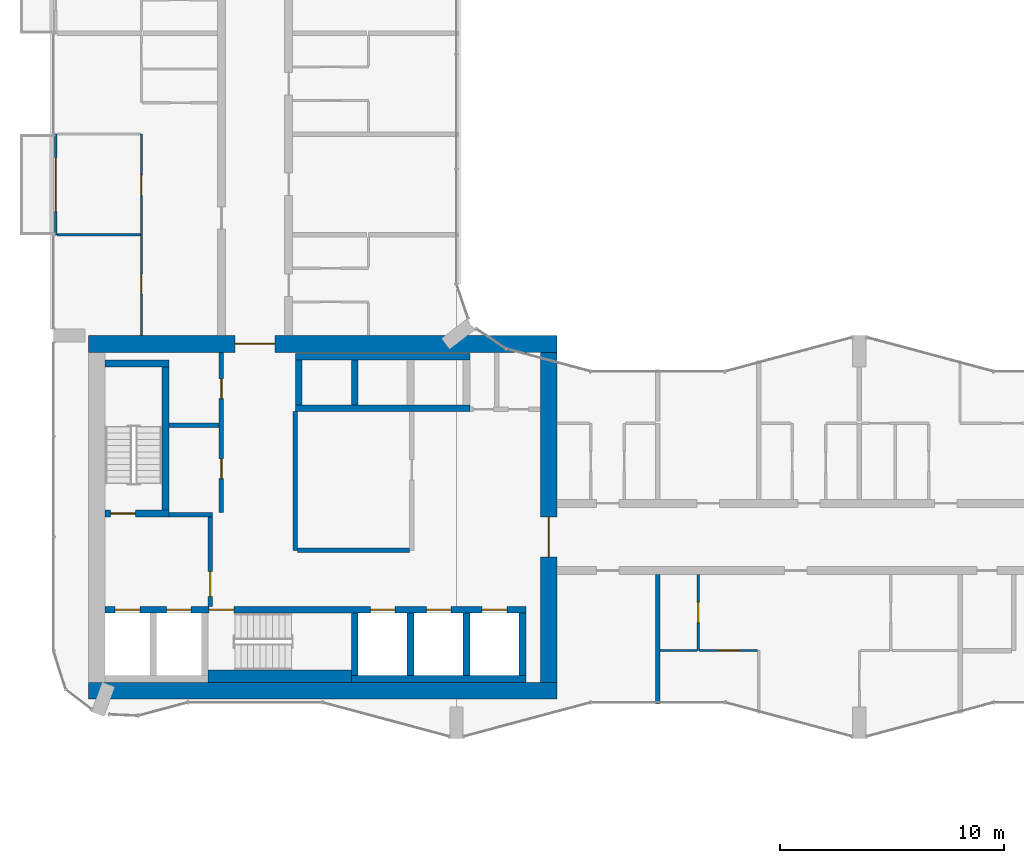
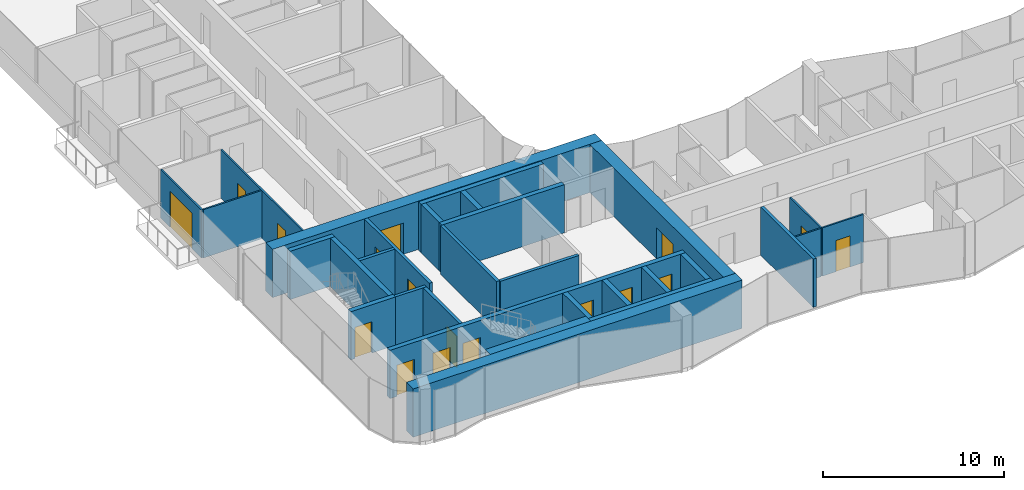
# One storey, part 14 of 24: 30 walls, 17 doors, 17 openings.
"""IFC4 building model written with IfcOpenShell, lengths in metres."""

from ifc_helpers import new_model, si_unit, direction, frame, frame_2d, origin, place, context, subcontext, project, spatial, rectangle, extrude, material, layer, layer_set, type_object, element, fill, save


model = new_model("IFC4")

# Units and contexts
model_context = context("Model", 3, precision=1e-05, world=origin(), true_north=direction((0.0, 1.0)))
body_context = subcontext(model_context, "Body", "Model", "MODEL_VIEW")
ifc_project = project(units=[si_unit("LENGTHUNIT", "METRE"), si_unit("AREAUNIT", "SQUARE_METRE"), si_unit("VOLUMEUNIT", "CUBIC_METRE"), si_unit("PLANEANGLEUNIT", "RADIAN"), si_unit("MASSUNIT", "GRAM", prefix="KILO")], contexts=[model_context])

# Site, building, storey
site_placement = place(None, origin())
site = spatial("IfcSite", under=ifc_project, at=site_placement, CompositionType="ELEMENT")
building_placement = place(site_placement, origin())
building = spatial("IfcBuilding", under=site, at=building_placement, Name="Plateau Cross Towers", CompositionType="ELEMENT")
storey_placement = place(building_placement, frame((0.0, 0.0, 51.300048828125)))
storey = spatial("IfcBuildingStorey", under=building, at=storey_placement, Name="L12", CompositionType="ELEMENT", Elevation=51.300048828125)

# Wall, opening, door
ifc_material_1 = material(Name="Aluminium framed glazing", Category="aluminium")
ifc_layer_1 = layer(ifc_material_1, 0.10009765625)
ifc_layer_set_1 = layer_set([ifc_layer_1], Name="Aluminium framed glazing")
wall_type_1 = type_object("IfcWallType", Name="Balcony screen wall 100", PredefinedType="STANDARD", material=ifc_layer_set_1)
wall_1_placement = place(storey_placement, frame((0.10009765625, 22.5, 0.0), z_axis=(0.0, 0.0, 1.0), x_axis=(0.0, 1.0, 0.0)))
wall_1 = element("IfcWall", 1, at=wall_1_placement, inside=storey, type_object=wall_type_1, Name="Balcony screen wall A-BAL-L12-01", PredefinedType="STANDARD", context=body_context, shape_type="SweptSolid", body=[
    extrude(rectangle(XDim=4.5, YDim=0.10009765625, at=frame_2d((2.25, 0.0))), origin(), (0.0, 0.0, 1.0), 3.25),
])
opening_1_placement = place(wall_1_placement, frame((1.050048828125, 0.0, 0.0)))
opening_1 = element("IfcOpeningElement", 2, at=opening_1_placement, cuts=wall_1, Name="Opening D-B24", PredefinedType="OPENING", context=body_context, shape_type="SweptSolid", body=[
    extrude(rectangle(XDim=2.39990234375, YDim=2.39990234375, at=frame_2d((1.199951171875, 1.199951171875))), frame((0.0, 0.06005859375, 0.0), z_axis=(0.0, -1.0, 0.0), x_axis=(1.0, 0.0, 0.0)), (0.0, 0.0, 1.0), 0.1201171875),
])
ifc_material_2 = material(Name="Aluminium frame, double glazing", Category="aluminium")
door_type_1 = type_object("IfcDoorType", Name="Balcony sliding door 2400", OperationType="NOTDEFINED", PredefinedType="DOOR", material=ifc_material_2)
door_1_placement = place(opening_1_placement, origin())
door_1 = element("IfcDoor", 3, at=door_1_placement, inside=storey, type_object=door_type_1, Name="Balcony door A-BAL-L12-01", OperationType="SINGLE_SWING_LEFT", OverallHeight=2.39990234375, OverallWidth=2.39990234375, PredefinedType="DOOR", context=body_context, shape_type="SweptSolid", body=[
    extrude(rectangle(XDim=2.39990234375, YDim=2.39990234375, at=frame_2d((1.199951171875, 1.199951171875))), frame((0.0, 0.02490234375, 0.0), z_axis=(0.0, -1.0, 0.0), x_axis=(1.0, 0.0, 0.0)), (0.0, 0.0, 1.0), 0.050048828125),
])
fill(opening_1, door_1)

ifc_material_3 = material(Name="Concrete block, plastered both sides", Category="concrete")
ifc_layer_2 = layer(ifc_material_3, 0.199951171875)
ifc_layer_set_2 = layer_set([ifc_layer_2], Name="Concrete block, plastered both sides")
wall_type_2 = type_object("IfcWallType", Name="Core partition 200", PredefinedType="PARTITIONING", material=ifc_layer_set_2)
wall_2_placement = place(storey_placement, frame((7.0, 5.89990234375, 0.0), z_axis=(0.0, 0.0, 1.0), x_axis=(0.0, 1.0, 0.0)))
wall_2 = element("IfcWall", 4, at=wall_2_placement, inside=storey, type_object=wall_type_2, Name="Core partition", PredefinedType="PARTITIONING", context=body_context, shape_type="SweptSolid", body=[
    extrude(rectangle(XDim=4.0, YDim=0.199951171875, at=frame_2d((2.0, 0.0))), origin(), (0.0, 0.0, 1.0), 3.25),
])
opening_2_placement = place(wall_2_placement, frame((0.449951171875, 0.0, 0.0)))
opening_2 = element("IfcOpeningElement", 5, at=opening_2_placement, cuts=wall_2, Name="Opening FFD", PredefinedType="OPENING", context=body_context, shape_type="SweptSolid", body=[
    extrude(rectangle(XDim=1.10009765625, YDim=2.10009765625, at=frame_2d((0.550048828125, 1.050048828125))), frame((0.0, 0.10986328125, 0.0), z_axis=(0.0, -1.0, 0.0), x_axis=(1.0, 0.0, 0.0)), (0.0, 0.0, 1.0), 0.219970703125),
])
ifc_material_4 = material(Name="Steel, fire-resisting leaf", Category="steel")
door_type_2 = type_object("IfcDoorType", Name="Firefighting lobby door 1100", OperationType="NOTDEFINED", PredefinedType="DOOR", material=ifc_material_4)
door_2_placement = place(opening_2_placement, origin())
door_2 = element("IfcDoor", 6, at=door_2_placement, inside=storey, type_object=door_type_2, Name="Firefighting lobby door FFD", OperationType="SINGLE_SWING_LEFT", OverallHeight=2.10009765625, OverallWidth=1.10009765625, PredefinedType="DOOR", context=body_context, shape_type="SweptSolid", body=[
    extrude(rectangle(XDim=1.10009765625, YDim=2.10009765625, at=frame_2d((0.550048828125, 1.050048828125))), frame((0.0, 0.02490234375, 0.0), z_axis=(0.0, -1.0, 0.0), x_axis=(1.0, 0.0, 0.0)), (0.0, 0.0, 1.0), 0.050048828125),
])
fill(opening_2, door_2)

# Walls
wall_3_placement = place(storey_placement, frame((5.14990234375, 10.0, 0.0), z_axis=(0.0, 0.0, 1.0), x_axis=(1.0, 0.0, 0.0)))
element("IfcWall", 7, at=wall_3_placement, inside=storey, type_object=wall_type_2, Name="Core partition", PredefinedType="PARTITIONING", context=body_context, shape_type="SweptSolid", body=[
    extrude(rectangle(XDim=1.9501953125, YDim=0.199951171875, at=frame_2d((0.97509765625, 0.0))), origin(), (0.0, 0.0, 1.0), 3.25),
])
wall_4_placement = place(storey_placement, frame((10.800048828125, 8.39990234375, 0.0), z_axis=(0.0, 0.0, 1.0), x_axis=(0.0, 1.0, 0.0)))
element("IfcWall", 8, at=wall_4_placement, inside=storey, type_object=wall_type_2, Name="Core partition", PredefinedType="PARTITIONING", context=body_context, shape_type="SweptSolid", body=[
    extrude(rectangle(XDim=6.2001953125, YDim=0.199951171875, at=frame_2d((3.10009765625, 0.0))), origin(), (0.0, 0.0, 1.0), 3.25),
])
wall_5_placement = place(storey_placement, frame((10.89990234375, 8.39990234375, 0.0), z_axis=(0.0, 0.0, 1.0), x_axis=(1.0, 0.0, 0.0)))
element("IfcWall", 9, at=wall_5_placement, inside=storey, type_object=wall_type_2, Name="Core partition", PredefinedType="PARTITIONING", context=body_context, shape_type="SweptSolid", body=[
    extrude(rectangle(XDim=5.0, YDim=0.199951171875, at=frame_2d((2.5, 0.0))), origin(), (0.0, 0.0, 1.0), 3.25),
])

# Wall, openings, doors
wall_6_placement = place(storey_placement, frame((7.5, 10.10009765625, 0.0), z_axis=(0.0, 0.0, 1.0), x_axis=(0.0, 1.0, 0.0)))
wall_6 = element("IfcWall", 10, at=wall_6_placement, inside=storey, type_object=wall_type_2, Name="Core partition", PredefinedType="PARTITIONING", context=body_context, shape_type="SweptSolid", body=[
    extrude(rectangle(XDim=7.14990234375, YDim=0.199951171875, at=frame_2d((3.574951171875, 0.0))), origin(), (0.0, 0.0, 1.0), 3.25),
])
opening_3_placement = place(wall_6_placement, frame((1.5, 0.0, 0.0)))
opening_3 = element("IfcOpeningElement", 11, at=opening_3_placement, cuts=wall_6, Name="Opening RD1", PredefinedType="OPENING", context=body_context, shape_type="SweptSolid", body=[
    extrude(rectangle(XDim=0.89990234375, YDim=2.10009765625, at=frame_2d((0.449951171875, 1.050048828125))), frame((0.0, 0.10986328125, 0.0), z_axis=(0.0, -1.0, 0.0), x_axis=(1.0, 0.0, 0.0)), (0.0, 0.0, 1.0), 0.219970703125),
])
opening_4_placement = place(wall_6_placement, frame((5.074951171875, 0.0, 0.0)))
opening_4 = element("IfcOpeningElement", 12, at=opening_4_placement, cuts=wall_6, Name="Opening RD1", PredefinedType="OPENING", context=body_context, shape_type="SweptSolid", body=[
    extrude(rectangle(XDim=0.89990234375, YDim=2.10009765625, at=frame_2d((0.449951171875, 1.050048828125))), frame((0.0, 0.10986328125, 0.0), z_axis=(0.0, -1.0, 0.0), x_axis=(1.0, 0.0, 0.0)), (0.0, 0.0, 1.0), 0.219970703125),
])
ifc_material_5 = material(Name="Timber, fire-resisting leaf", Category="wood")
door_type_3 = type_object("IfcDoorType", Name="Core service door 900", OperationType="NOTDEFINED", PredefinedType="DOOR", material=ifc_material_5)
door_3_placement = place(opening_3_placement, origin())
door_3 = element("IfcDoor", 13, at=door_3_placement, inside=storey, type_object=door_type_3, Name="Core service door RD1", OperationType="SINGLE_SWING_RIGHT", OverallHeight=2.10009765625, OverallWidth=0.89990234375, PredefinedType="DOOR", context=body_context, shape_type="SweptSolid", body=[
    extrude(rectangle(XDim=0.89990234375, YDim=2.10009765625, at=frame_2d((0.449951171875, 1.050048828125))), frame((0.0, 0.02490234375, 0.0), z_axis=(0.0, -1.0, 0.0), x_axis=(1.0, 0.0, 0.0)), (0.0, 0.0, 1.0), 0.050048828125),
])
fill(opening_3, door_3)
door_4_placement = place(opening_4_placement, origin())
door_4 = element("IfcDoor", 14, at=door_4_placement, inside=storey, type_object=door_type_3, Name="Core service door RD1", OperationType="SINGLE_SWING_RIGHT", OverallHeight=2.10009765625, OverallWidth=0.89990234375, PredefinedType="DOOR", context=body_context, shape_type="SweptSolid", body=[
    extrude(rectangle(XDim=0.89990234375, YDim=2.10009765625, at=frame_2d((0.449951171875, 1.050048828125))), frame((0.0, 0.02490234375, 0.0), z_axis=(0.0, -1.0, 0.0), x_axis=(1.0, 0.0, 0.0)), (0.0, 0.0, 1.0), 0.050048828125),
])
fill(opening_4, door_4)

# Walls
wall_7_placement = place(storey_placement, frame((5.14990234375, 14.0, 0.0), z_axis=(0.0, 0.0, 1.0), x_axis=(1.0, 0.0, 0.0)))
element("IfcWall", 15, at=wall_7_placement, inside=storey, type_object=wall_type_2, Name="Core partition", PredefinedType="PARTITIONING", context=body_context, shape_type="SweptSolid", body=[
    extrude(rectangle(XDim=2.25, YDim=0.199951171875, at=frame_2d((1.125, 0.0))), origin(), (0.0, 0.0, 1.0), 3.25),
])
ifc_material_6 = material(Name="Concrete C60/75", Category="concrete")
ifc_layer_3 = layer(ifc_material_6, 0.300048828125)
ifc_layer_set_3 = layer_set([ifc_layer_3], Name="Concrete C60/75")
wall_type_3 = type_object("IfcWallType", Name="Core shaft wall 300", PredefinedType="SHEAR", material=ifc_layer_set_3)
wall_8_placement = place(storey_placement, frame((13.300048828125, 2.64990234375, 0.0), z_axis=(0.0, 0.0, 1.0), x_axis=(1.0, 0.0, 0.0)))
element("IfcWall", 16, at=wall_8_placement, inside=storey, type_object=wall_type_3, Name="A-sb-back3@L12", PredefinedType="SHEAR", context=body_context, shape_type="SweptSolid", body=[
    extrude(rectangle(XDim=7.800048828125, YDim=0.300048828125, at=frame_2d((3.89990234375, 0.0))), origin(), (0.0, 0.0, 1.0), 3.25),
])
for number, where, z_axis, x_axis, name in (
    (17, (13.449951171875, 2.800048828125, 0.0), (0.0, 0.0, 1.0), (0.0, 1.0, 0.0), "A-sb-v3@L12"),
    (18, (15.949951171875, 2.800048828125, 0.0), (0.0, 0.0, 1.0), (0.0, 1.0, 0.0), "A-sb-v4@L12"),
    (19, (18.449951171875, 2.800048828125, 0.0), (0.0, 0.0, 1.0), (0.0, 1.0, 0.0), "A-sb-v5@L12"),
    (20, (20.949951171875, 2.800048828125, 0.0), (0.0, 0.0, 1.0), (0.0, 1.0, 0.0), "A-sb-v6@L12"),
):
    element("IfcWall", number, at=place(storey_placement, frame(where, z_axis=z_axis, x_axis=x_axis)), inside=storey, type_object=wall_type_3, Name=name, PredefinedType="SHEAR", context=body_context, shape_type="SweptSolid", body=[
        extrude(rectangle(XDim=2.800048828125, YDim=0.300048828125, at=frame_2d((1.39990234375, 0.0))), origin(), (0.0, 0.0, 1.0), 3.25),
    ])

# Wall, openings, doors
wall_9_placement = place(storey_placement, frame((2.300048828125, 5.75, 0.0), z_axis=(0.0, 0.0, 1.0), x_axis=(1.0, 0.0, 0.0)))
wall_9 = element("IfcWall", 21, at=wall_9_placement, inside=storey, type_object=wall_type_3, Name="A-sb-front@L12", PredefinedType="SHEAR", context=body_context, shape_type="SweptSolid", body=[
    extrude(rectangle(XDim=18.800048828125, YDim=0.300048828125, at=frame_2d((9.39990234375, 0.0))), origin(), (0.0, 0.0, 1.0), 3.25),
])
opening_5_placement = place(wall_9_placement, frame((4.64990234375, 0.0, 0.0)))
opening_5 = element("IfcOpeningElement", 22, at=opening_5_placement, cuts=wall_9, Name="Opening SD", PredefinedType="OPENING", context=body_context, shape_type="SweptSolid", body=[
    extrude(rectangle(XDim=1.10009765625, YDim=2.10009765625, at=frame_2d((0.550048828125, 1.050048828125))), frame((0.0, 0.159912109375, 0.0), z_axis=(0.0, -1.0, 0.0), x_axis=(1.0, 0.0, 0.0)), (0.0, 0.0, 1.0), 0.320068359375),
])
opening_6_placement = place(wall_9_placement, frame((0.449951171875, 0.0, 0.0)))
opening_6 = element("IfcOpeningElement", 23, at=opening_6_placement, cuts=wall_9, Name="Opening LD", PredefinedType="OPENING", context=body_context, shape_type="SweptSolid", body=[
    extrude(rectangle(XDim=1.10009765625, YDim=2.10009765625, at=frame_2d((0.550048828125, 1.050048828125))), frame((0.0, 0.159912109375, 0.0), z_axis=(0.0, -1.0, 0.0), x_axis=(1.0, 0.0, 0.0)), (0.0, 0.0, 1.0), 0.320068359375),
])
opening_7_placement = place(wall_9_placement, frame((2.75, 0.0, 0.0)))
opening_7 = element("IfcOpeningElement", 24, at=opening_7_placement, cuts=wall_9, Name="Opening LD", PredefinedType="OPENING", context=body_context, shape_type="SweptSolid", body=[
    extrude(rectangle(XDim=1.10009765625, YDim=2.10009765625, at=frame_2d((0.550048828125, 1.050048828125))), frame((0.0, 0.159912109375, 0.0), z_axis=(0.0, -1.0, 0.0), x_axis=(1.0, 0.0, 0.0)), (0.0, 0.0, 1.0), 0.320068359375),
])
opening_8_placement = place(wall_9_placement, frame((11.85009765625, 0.0, 0.0)))
opening_8 = element("IfcOpeningElement", 25, at=opening_8_placement, cuts=wall_9, Name="Opening LD", PredefinedType="OPENING", context=body_context, shape_type="SweptSolid", body=[
    extrude(rectangle(XDim=1.10009765625, YDim=2.10009765625, at=frame_2d((0.550048828125, 1.050048828125))), frame((0.0, 0.159912109375, 0.0), z_axis=(0.0, -1.0, 0.0), x_axis=(1.0, 0.0, 0.0)), (0.0, 0.0, 1.0), 0.320068359375),
])
opening_9_placement = place(wall_9_placement, frame((14.35009765625, 0.0, 0.0)))
opening_9 = element("IfcOpeningElement", 26, at=opening_9_placement, cuts=wall_9, Name="Opening LD", PredefinedType="OPENING", context=body_context, shape_type="SweptSolid", body=[
    extrude(rectangle(XDim=1.10009765625, YDim=2.10009765625, at=frame_2d((0.550048828125, 1.050048828125))), frame((0.0, 0.159912109375, 0.0), z_axis=(0.0, -1.0, 0.0), x_axis=(1.0, 0.0, 0.0)), (0.0, 0.0, 1.0), 0.320068359375),
])
opening_10_placement = place(wall_9_placement, frame((16.85009765625, 0.0, 0.0)))
opening_10 = element("IfcOpeningElement", 27, at=opening_10_placement, cuts=wall_9, Name="Opening LD", PredefinedType="OPENING", context=body_context, shape_type="SweptSolid", body=[
    extrude(rectangle(XDim=1.10009765625, YDim=2.10009765625, at=frame_2d((0.550048828125, 1.050048828125))), frame((0.0, 0.159912109375, 0.0), z_axis=(0.0, -1.0, 0.0), x_axis=(1.0, 0.0, 0.0)), (0.0, 0.0, 1.0), 0.320068359375),
])
ifc_material_7 = material(Name="Stainless steel, fire-resisting sliding leaves", Category="steel")
door_type_4 = type_object("IfcDoorType", Name="Lift landing door 1100", OperationType="NOTDEFINED", PredefinedType="DOOR", material=ifc_material_7)
door_5_placement = place(opening_6_placement, origin())
door_5 = element("IfcDoor", 28, at=door_5_placement, inside=storey, type_object=door_type_4, Name="Lift landing door LD", OperationType="DOUBLE_DOOR_SLIDING", OverallHeight=2.10009765625, OverallWidth=1.10009765625, PredefinedType="DOOR", context=body_context, shape_type="SweptSolid", body=[
    extrude(rectangle(XDim=1.10009765625, YDim=2.10009765625, at=frame_2d((0.550048828125, 1.050048828125))), frame((0.0, 0.02490234375, 0.0), z_axis=(0.0, -1.0, 0.0), x_axis=(1.0, 0.0, 0.0)), (0.0, 0.0, 1.0), 0.050048828125),
])
fill(opening_6, door_5)
door_6_placement = place(opening_7_placement, origin())
door_6 = element("IfcDoor", 29, at=door_6_placement, inside=storey, type_object=door_type_4, Name="Lift landing door LD", OperationType="DOUBLE_DOOR_SLIDING", OverallHeight=2.10009765625, OverallWidth=1.10009765625, PredefinedType="DOOR", context=body_context, shape_type="SweptSolid", body=[
    extrude(rectangle(XDim=1.10009765625, YDim=2.10009765625, at=frame_2d((0.550048828125, 1.050048828125))), frame((0.0, 0.02490234375, 0.0), z_axis=(0.0, -1.0, 0.0), x_axis=(1.0, 0.0, 0.0)), (0.0, 0.0, 1.0), 0.050048828125),
])
fill(opening_7, door_6)
door_7_placement = place(opening_8_placement, origin())
door_7 = element("IfcDoor", 30, at=door_7_placement, inside=storey, type_object=door_type_4, Name="Lift landing door LD", OperationType="DOUBLE_DOOR_SLIDING", OverallHeight=2.10009765625, OverallWidth=1.10009765625, PredefinedType="DOOR", context=body_context, shape_type="SweptSolid", body=[
    extrude(rectangle(XDim=1.10009765625, YDim=2.10009765625, at=frame_2d((0.550048828125, 1.050048828125))), frame((0.0, 0.02490234375, 0.0), z_axis=(0.0, -1.0, 0.0), x_axis=(1.0, 0.0, 0.0)), (0.0, 0.0, 1.0), 0.050048828125),
])
fill(opening_8, door_7)
door_8_placement = place(opening_9_placement, origin())
door_8 = element("IfcDoor", 31, at=door_8_placement, inside=storey, type_object=door_type_4, Name="Lift landing door LD", OperationType="DOUBLE_DOOR_SLIDING", OverallHeight=2.10009765625, OverallWidth=1.10009765625, PredefinedType="DOOR", context=body_context, shape_type="SweptSolid", body=[
    extrude(rectangle(XDim=1.10009765625, YDim=2.10009765625, at=frame_2d((0.550048828125, 1.050048828125))), frame((0.0, 0.02490234375, 0.0), z_axis=(0.0, -1.0, 0.0), x_axis=(1.0, 0.0, 0.0)), (0.0, 0.0, 1.0), 0.050048828125),
])
fill(opening_9, door_8)
door_9_placement = place(opening_10_placement, origin())
door_9 = element("IfcDoor", 32, at=door_9_placement, inside=storey, type_object=door_type_4, Name="Lift landing door LD", OperationType="DOUBLE_DOOR_SLIDING", OverallHeight=2.10009765625, OverallWidth=1.10009765625, PredefinedType="DOOR", context=body_context, shape_type="SweptSolid", body=[
    extrude(rectangle(XDim=1.10009765625, YDim=2.10009765625, at=frame_2d((0.550048828125, 1.050048828125))), frame((0.0, 0.02490234375, 0.0), z_axis=(0.0, -1.0, 0.0), x_axis=(1.0, 0.0, 0.0)), (0.0, 0.0, 1.0), 0.050048828125),
])
fill(opening_10, door_9)
door_type_5 = type_object("IfcDoorType", Name="Stair door 1100", OperationType="NOTDEFINED", PredefinedType="DOOR", material=ifc_material_4)
door_10_placement = place(opening_5_placement, origin())
door_10 = element("IfcDoor", 33, at=door_10_placement, inside=storey, type_object=door_type_5, Name="Stair door SD", OperationType="SINGLE_SWING_LEFT", OverallHeight=2.10009765625, OverallWidth=1.10009765625, PredefinedType="DOOR", context=body_context, shape_type="SweptSolid", body=[
    extrude(rectangle(XDim=1.10009765625, YDim=2.10009765625, at=frame_2d((0.550048828125, 1.050048828125))), frame((0.0, 0.02490234375, 0.0), z_axis=(0.0, -1.0, 0.0), x_axis=(1.0, 0.0, 0.0)), (0.0, 0.0, 1.0), 0.050048828125),
])
fill(opening_5, door_10)

# Wall, opening, door
wall_10_placement = place(storey_placement, frame((2.300048828125, 10.050048828125, 0.0), z_axis=(0.0, 0.0, 1.0), x_axis=(1.0, 0.0, 0.0)))
wall_10 = element("IfcWall", 34, at=wall_10_placement, inside=storey, type_object=wall_type_3, Name="A-st1-S@L12", PredefinedType="SHEAR", context=body_context, shape_type="SweptSolid", body=[
    extrude(rectangle(XDim=2.849853515625, YDim=0.300048828125, at=frame_2d((1.4248046875, 0.0))), origin(), (0.0, 0.0, 1.0), 3.25),
])
opening_11_placement = place(wall_10_placement, frame((0.25, 0.0, 0.0)))
opening_11 = element("IfcOpeningElement", 35, at=opening_11_placement, cuts=wall_10, Name="Opening SD", PredefinedType="OPENING", context=body_context, shape_type="SweptSolid", body=[
    extrude(rectangle(XDim=1.10009765625, YDim=2.10009765625, at=frame_2d((0.550048828125, 1.050048828125))), frame((0.0, 0.159912109375, 0.0), z_axis=(0.0, -1.0, 0.0), x_axis=(1.0, 0.0, 0.0)), (0.0, 0.0, 1.0), 0.320068359375),
])
door_11_placement = place(opening_11_placement, origin())
door_11 = element("IfcDoor", 36, at=door_11_placement, inside=storey, type_object=door_type_5, Name="Stair door SD", OperationType="SINGLE_SWING_RIGHT", OverallHeight=2.10009765625, OverallWidth=1.10009765625, PredefinedType="DOOR", context=body_context, shape_type="SweptSolid", body=[
    extrude(rectangle(XDim=1.10009765625, YDim=2.10009765625, at=frame_2d((0.550048828125, 1.050048828125))), frame((0.0, 0.02490234375, 0.0), z_axis=(0.0, -1.0, 0.0), x_axis=(1.0, 0.0, 0.0)), (0.0, 0.0, 1.0), 0.050048828125),
])
fill(opening_11, door_11)

# Walls
wall_11_placement = place(storey_placement, frame((5.0, 10.199951171875, 0.0), z_axis=(0.0, 0.0, 1.0), x_axis=(0.0, 1.0, 0.0)))
element("IfcWall", 37, at=wall_11_placement, inside=storey, type_object=wall_type_3, Name="A-st1-E@L12", PredefinedType="SHEAR", context=body_context, shape_type="SweptSolid", body=[
    extrude(rectangle(XDim=6.400146484375, YDim=0.300048828125, at=frame_2d((3.2001953125, 0.0))), origin(), (0.0, 0.0, 1.0), 3.25),
])
wall_12_placement = place(storey_placement, frame((2.300048828125, 16.75, 0.0), z_axis=(0.0, 0.0, 1.0), x_axis=(1.0, 0.0, 0.0)))
element("IfcWall", 38, at=wall_12_placement, inside=storey, type_object=wall_type_3, Name="A-st1-N@L12", PredefinedType="SHEAR", context=body_context, shape_type="SweptSolid", body=[
    extrude(rectangle(XDim=2.849853515625, YDim=0.300048828125, at=frame_2d((1.4248046875, 0.0))), origin(), (0.0, 0.0, 1.0), 3.25),
])
for number, where, z_axis, x_axis, name in (
    (39, (10.800048828125, 17.050048828125, 0.0), (0.0, 0.0, 1.0), (1.0, 0.0, 0.0), "A-nb-back@L12"),
    (40, (10.800048828125, 14.75, 0.0), (0.0, 0.0, 1.0), (1.0, 0.0, 0.0), "A-nb-front@L12"),
):
    element("IfcWall", number, at=place(storey_placement, frame(where, z_axis=z_axis, x_axis=x_axis)), inside=storey, type_object=wall_type_3, Name=name, PredefinedType="SHEAR", context=body_context, shape_type="SweptSolid", body=[
        extrude(rectangle(XDim=7.800048828125, YDim=0.300048828125, at=frame_2d((3.89990234375, 0.0))), origin(), (0.0, 0.0, 1.0), 3.25),
    ])
for number, where, z_axis, x_axis, name in (
    (41, (10.949951171875, 14.89990234375, 0.0), (0.0, 0.0, 1.0), (0.0, 1.0, 0.0), "A-nb-v1@L12"),
    (42, (13.449951171875, 14.89990234375, 0.0), (0.0, 0.0, 1.0), (0.0, 1.0, 0.0), "A-nb-v2@L12"),
):
    element("IfcWall", number, at=place(storey_placement, frame(where, z_axis=z_axis, x_axis=x_axis)), inside=storey, type_object=wall_type_3, Name=name, PredefinedType="SHEAR", context=body_context, shape_type="SweptSolid", body=[
        extrude(rectangle(XDim=2.0, YDim=0.300048828125, at=frame_2d((1.0, 0.0))), origin(), (0.0, 0.0, 1.0), 3.25),
    ])
ifc_layer_4 = layer(ifc_material_6, 0.550048828125)
ifc_layer_set_4 = layer_set([ifc_layer_4], Name="Concrete C60/75")
wall_type_4 = type_object("IfcWallType", Name="Core shaft wall 550", PredefinedType="SHEAR", material=ifc_layer_set_4)
wall_13_placement = place(storey_placement, frame((6.89990234375, 2.77490234375, 0.0), z_axis=(0.0, 0.0, 1.0), x_axis=(1.0, 0.0, 0.0)))
element("IfcWall", 43, at=wall_13_placement, inside=storey, type_object=wall_type_4, Name="A-sb-back2@L12", PredefinedType="SHEAR", context=body_context, shape_type="SweptSolid", body=[
    extrude(rectangle(XDim=6.400146484375, YDim=0.550048828125, at=frame_2d((3.2001953125, 0.0))), origin(), (0.0, 0.0, 1.0), 3.25),
])
ifc_layer_5 = layer(ifc_material_6, 0.75)
ifc_layer_set_5 = layer_set([ifc_layer_5], Name="Concrete C60/75")
wall_type_5 = type_object("IfcWallType", Name="Core shell wall 750", PredefinedType="SHEAR", material=ifc_layer_set_5)
wall_14_placement = place(storey_placement, frame((1.550048828125, 2.125, 0.0), z_axis=(0.0, 0.0, 1.0), x_axis=(1.0, 0.0, 0.0)))
element("IfcWall", 44, at=wall_14_placement, inside=storey, type_object=wall_type_5, Name="A-core-S@L12", PredefinedType="SHEAR", context=body_context, shape_type="SweptSolid", body=[
    extrude(rectangle(XDim=20.949951171875, YDim=0.75, at=frame_2d((10.47509765625, 0.0))), origin(), (0.0, 0.0, 1.0), 3.25),
])

# Wall, opening, door
wall_15_placement = place(storey_placement, frame((1.550048828125, 17.625, 0.0), z_axis=(0.0, 0.0, 1.0), x_axis=(1.0, 0.0, 0.0)))
wall_15 = element("IfcWall", 45, at=wall_15_placement, inside=storey, type_object=wall_type_5, Name="A-core-N@L12", PredefinedType="SHEAR", context=body_context, shape_type="SweptSolid", body=[
    extrude(rectangle(XDim=20.949951171875, YDim=0.75, at=frame_2d((10.47509765625, 0.0))), origin(), (0.0, 0.0, 1.0), 3.25),
])
opening_12_placement = place(wall_15_placement, frame((6.550048828125, 0.0, 0.0)))
opening_12 = element("IfcOpeningElement", 46, at=opening_12_placement, cuts=wall_15, Name="Opening CD", PredefinedType="OPENING", context=body_context, shape_type="SweptSolid", body=[
    extrude(rectangle(XDim=1.800048828125, YDim=2.10009765625, at=frame_2d((0.89990234375, 1.050048828125))), frame((0.0, 0.385009765625, 0.0), z_axis=(0.0, -1.0, 0.0), x_axis=(1.0, 0.0, 0.0)), (0.0, 0.0, 1.0), 0.77001953125),
])
ifc_material_8 = material(Name="Steel, fire-resisting leaves", Category="steel")
door_type_6 = type_object("IfcDoorType", Name="Corridor door pair 1800", OperationType="NOTDEFINED", PredefinedType="DOOR", material=ifc_material_8)
door_12_placement = place(opening_12_placement, origin())
door_12 = element("IfcDoor", 47, at=door_12_placement, inside=storey, type_object=door_type_6, Name="Corridor door pair CD", OperationType="DOUBLE_DOOR_SINGLE_SWING", OverallHeight=2.10009765625, OverallWidth=1.800048828125, PredefinedType="DOOR", context=body_context, shape_type="SweptSolid", body=[
    extrude(rectangle(XDim=1.800048828125, YDim=2.10009765625, at=frame_2d((0.89990234375, 1.050048828125))), frame((0.0, 0.02490234375, 0.0), z_axis=(0.0, -1.0, 0.0), x_axis=(1.0, 0.0, 0.0)), (0.0, 0.0, 1.0), 0.050048828125),
])
fill(opening_12, door_12)

wall_16_placement = place(storey_placement, frame((22.125, 2.5, 0.0), z_axis=(0.0, 0.0, 1.0), x_axis=(0.0, 1.0, 0.0)))
wall_16 = element("IfcWall", 48, at=wall_16_placement, inside=storey, type_object=wall_type_5, Name="A-core-E@L12", PredefinedType="SHEAR", context=body_context, shape_type="SweptSolid", body=[
    extrude(rectangle(XDim=14.75, YDim=0.75, at=frame_2d((7.375, 0.0))), origin(), (0.0, 0.0, 1.0), 3.25),
])
opening_13_placement = place(wall_16_placement, frame((5.60009765625, 0.0, 0.0)))
opening_13 = element("IfcOpeningElement", 49, at=opening_13_placement, cuts=wall_16, Name="Opening CD", PredefinedType="OPENING", context=body_context, shape_type="SweptSolid", body=[
    extrude(rectangle(XDim=1.800048828125, YDim=2.10009765625, at=frame_2d((0.89990234375, 1.050048828125))), frame((0.0, 0.385009765625, 0.0), z_axis=(0.0, -1.0, 0.0), x_axis=(1.0, 0.0, 0.0)), (0.0, 0.0, 1.0), 0.77001953125),
])
door_13_placement = place(opening_13_placement, origin())
door_13 = element("IfcDoor", 50, at=door_13_placement, inside=storey, type_object=door_type_6, Name="Corridor door pair CD", OperationType="DOUBLE_DOOR_SINGLE_SWING", OverallHeight=2.10009765625, OverallWidth=1.800048828125, PredefinedType="DOOR", context=body_context, shape_type="SweptSolid", body=[
    extrude(rectangle(XDim=1.800048828125, YDim=2.10009765625, at=frame_2d((0.89990234375, 1.050048828125))), frame((0.0, 0.02490234375, 0.0), z_axis=(0.0, -1.0, 0.0), x_axis=(1.0, 0.0, 0.0)), (0.0, 0.0, 1.0), 0.050048828125),
])
fill(opening_13, door_13)

ifc_material_9 = material(Name="Gypsum board on steel studs", Category="steel")
ifc_layer_6 = layer(ifc_material_9, 0.10009765625)
ifc_layer_set_6 = layer_set([ifc_layer_6], Name="Gypsum board on steel studs")
wall_type_6 = type_object("IfcWallType", Name="Flat partition 100", PredefinedType="PARTITIONING", material=ifc_layer_set_6)
wall_17_placement = place(storey_placement, frame((31.449951171875, 3.925048828125, 0.0), z_axis=(0.0, 0.0, 1.0), x_axis=(-1.0, 0.0, 0.0)))
wall_17 = element("IfcWall", 51, at=wall_17_placement, inside=storey, type_object=wall_type_6, Name="Partition wall", PredefinedType="PARTITIONING", context=body_context, shape_type="SweptSolid", body=[
    extrude(rectangle(XDim=2.599853515625, YDim=0.10009765625, at=frame_2d((1.2998046875, 0.0))), origin(), (0.0, 0.0, 1.0), 3.25),
])
opening_14_placement = place(wall_17_placement, frame((0.85009765625, 0.0, 0.0)))
opening_14 = element("IfcOpeningElement", 52, at=opening_14_placement, cuts=wall_17, Name="Opening 12-21", PredefinedType="OPENING", context=body_context, shape_type="SweptSolid", body=[
    extrude(rectangle(XDim=0.89990234375, YDim=2.10009765625, at=frame_2d((0.449951171875, 1.050048828125))), frame((0.0, 0.06005859375, 0.0), z_axis=(0.0, -1.0, 0.0), x_axis=(1.0, 0.0, 0.0)), (0.0, 0.0, 1.0), 0.1201171875),
])
ifc_material_10 = material(Name="Timber leaf", Category="wood")
door_type_7 = type_object("IfcDoorType", Name="Flat room door 900", OperationType="NOTDEFINED", PredefinedType="DOOR", material=ifc_material_10)
door_14_placement = place(opening_14_placement, origin())
door_14 = element("IfcDoor", 53, at=door_14_placement, inside=storey, type_object=door_type_7, Name="Door 12-21", OperationType="SINGLE_SWING_RIGHT", OverallHeight=2.10009765625, OverallWidth=0.89990234375, PredefinedType="DOOR", context=body_context, shape_type="SweptSolid", body=[
    extrude(rectangle(XDim=0.89990234375, YDim=2.10009765625, at=frame_2d((0.449951171875, 1.050048828125))), frame((0.0, 0.02490234375, 0.0), z_axis=(0.0, -1.0, 0.0), x_axis=(1.0, 0.0, 0.0)), (0.0, 0.0, 1.0), 0.050048828125),
])
fill(opening_14, door_14)

# Walls
wall_18_placement = place(storey_placement, frame((27.10009765625, 3.925048828125, 0.0), z_axis=(0.0, 0.0, 1.0), x_axis=(1.0, 0.0, 0.0)))
element("IfcWall", 54, at=wall_18_placement, inside=storey, type_object=wall_type_6, Name="Partition wall", PredefinedType="PARTITIONING", context=body_context, shape_type="SweptSolid", body=[
    extrude(rectangle(XDim=1.64990234375, YDim=0.10009765625, at=frame_2d((0.824951171875, 0.0))), origin(), (0.0, 0.0, 1.0), 3.25),
])
wall_19_placement = place(storey_placement, frame((3.875, 22.5, 0.0), z_axis=(0.0, 0.0, 1.0), x_axis=(-1.0, 0.0, 0.0)))
element("IfcWall", 55, at=wall_19_placement, inside=storey, type_object=wall_type_6, Name="Partition wall", PredefinedType="PARTITIONING", context=body_context, shape_type="SweptSolid", body=[
    extrude(rectangle(XDim=3.72509765625, YDim=0.10009765625, at=frame_2d((1.862548828125, 0.0))), origin(), (0.0, 0.0, 1.0), 3.25),
])

# Wall, openings, doors
wall_20_placement = place(storey_placement, frame((3.925048828125, 18.0, 0.0), z_axis=(0.0, 0.0, 1.0), x_axis=(0.0, 1.0, 0.0)))
wall_20 = element("IfcWall", 56, at=wall_20_placement, inside=storey, type_object=wall_type_6, Name="Partition wall", PredefinedType="PARTITIONING", context=body_context, shape_type="SweptSolid", body=[
    extrude(rectangle(XDim=9.0, YDim=0.10009765625, at=frame_2d((4.5, 0.0))), origin(), (0.0, 0.0, 1.0), 3.25),
])
opening_15_placement = place(wall_20_placement, frame((1.85009765625, 0.0, 0.0)))
opening_15 = element("IfcOpeningElement", 57, at=opening_15_placement, cuts=wall_20, Name="Opening 12-34", PredefinedType="OPENING", context=body_context, shape_type="SweptSolid", body=[
    extrude(rectangle(XDim=0.89990234375, YDim=2.10009765625, at=frame_2d((0.449951171875, 1.050048828125))), frame((0.0, 0.06005859375, 0.0), z_axis=(0.0, -1.0, 0.0), x_axis=(1.0, 0.0, 0.0)), (0.0, 0.0, 1.0), 0.1201171875),
])
opening_16_placement = place(wall_20_placement, frame((6.25, 0.0, 0.0)))
opening_16 = element("IfcOpeningElement", 58, at=opening_16_placement, cuts=wall_20, Name="Opening 12-35", PredefinedType="OPENING", context=body_context, shape_type="SweptSolid", body=[
    extrude(rectangle(XDim=0.89990234375, YDim=2.10009765625, at=frame_2d((0.449951171875, 1.050048828125))), frame((0.0, 0.06005859375, 0.0), z_axis=(0.0, -1.0, 0.0), x_axis=(1.0, 0.0, 0.0)), (0.0, 0.0, 1.0), 0.1201171875),
])
door_15_placement = place(opening_15_placement, origin())
door_15 = element("IfcDoor", 59, at=door_15_placement, inside=storey, type_object=door_type_7, Name="Door 12-34", OperationType="SINGLE_SWING_LEFT", OverallHeight=2.10009765625, OverallWidth=0.89990234375, PredefinedType="DOOR", context=body_context, shape_type="SweptSolid", body=[
    extrude(rectangle(XDim=0.89990234375, YDim=2.10009765625, at=frame_2d((0.449951171875, 1.050048828125))), frame((0.0, 0.02490234375, 0.0), z_axis=(0.0, -1.0, 0.0), x_axis=(1.0, 0.0, 0.0)), (0.0, 0.0, 1.0), 0.050048828125),
])
fill(opening_15, door_15)
door_16_placement = place(opening_16_placement, origin())
door_16 = element("IfcDoor", 60, at=door_16_placement, inside=storey, type_object=door_type_7, Name="Door 12-35", OperationType="SINGLE_SWING_RIGHT", OverallHeight=2.10009765625, OverallWidth=0.89990234375, PredefinedType="DOOR", context=body_context, shape_type="SweptSolid", body=[
    extrude(rectangle(XDim=0.89990234375, YDim=2.10009765625, at=frame_2d((0.449951171875, 1.050048828125))), frame((0.0, 0.02490234375, 0.0), z_axis=(0.0, -1.0, 0.0), x_axis=(1.0, 0.0, 0.0)), (0.0, 0.0, 1.0), 0.050048828125),
])
fill(opening_16, door_16)

# Wall, opening, door
wall_21_placement = place(storey_placement, frame((28.800048828125, 3.925048828125, 0.0), z_axis=(0.0, 0.0, 1.0), x_axis=(0.0, 1.0, 0.0)))
wall_21 = element("IfcWall", 61, at=wall_21_placement, inside=storey, type_object=wall_type_6, Name="Partition wall", PredefinedType="PARTITIONING", context=body_context, shape_type="SweptSolid", body=[
    extrude(rectangle(XDim=3.39990234375, YDim=0.10009765625, at=frame_2d((1.699951171875, 0.0))), origin(), (0.0, 0.0, 1.0), 3.25),
])
opening_17_placement = place(wall_21_placement, frame((1.25, 0.0, 0.0)))
opening_17 = element("IfcOpeningElement", 62, at=opening_17_placement, cuts=wall_21, Name="Opening 12-19", PredefinedType="OPENING", context=body_context, shape_type="SweptSolid", body=[
    extrude(rectangle(XDim=0.89990234375, YDim=2.10009765625, at=frame_2d((0.449951171875, 1.050048828125))), frame((0.0, 0.06005859375, 0.0), z_axis=(0.0, -1.0, 0.0), x_axis=(1.0, 0.0, 0.0)), (0.0, 0.0, 1.0), 0.1201171875),
])
door_17_placement = place(opening_17_placement, origin())
door_17 = element("IfcDoor", 63, at=door_17_placement, inside=storey, type_object=door_type_7, Name="Door 12-19", OperationType="SINGLE_SWING_LEFT", OverallHeight=2.10009765625, OverallWidth=0.89990234375, PredefinedType="DOOR", context=body_context, shape_type="SweptSolid", body=[
    extrude(rectangle(XDim=0.89990234375, YDim=2.10009765625, at=frame_2d((0.449951171875, 1.050048828125))), frame((0.0, 0.02490234375, 0.0), z_axis=(0.0, -1.0, 0.0), x_axis=(1.0, 0.0, 0.0)), (0.0, 0.0, 1.0), 0.050048828125),
])
fill(opening_17, door_17)

# Wall
ifc_material_11 = material(Name="Gypsum board on steel studs, two layers each side", Category="steel")
ifc_layer_7 = layer(ifc_material_11, 0.199951171875)
ifc_layer_set_7 = layer_set([ifc_layer_7], Name="Gypsum board on steel studs, two layers each side")
wall_type_7 = type_object("IfcWallType", Name="Flat party wall 200", PredefinedType="PARTITIONING", material=ifc_layer_set_7)
wall_22_placement = place(storey_placement, frame((27.0, 1.52685546875, 0.0), z_axis=(0.0, 0.0, 1.0), x_axis=(0.0, 1.0, 0.0)))
element("IfcWall", 64, at=wall_22_placement, inside=storey, type_object=wall_type_7, Name="Party wall", PredefinedType="PARTITIONING", context=body_context, shape_type="SweptSolid", body=[
    extrude(rectangle(XDim=5.798095703125, YDim=0.199951171875, at=frame_2d((2.89892578125, 0.0))), origin(), (0.0, 0.0, 1.0), 3.25),
])

save(model, "model.ifc")
